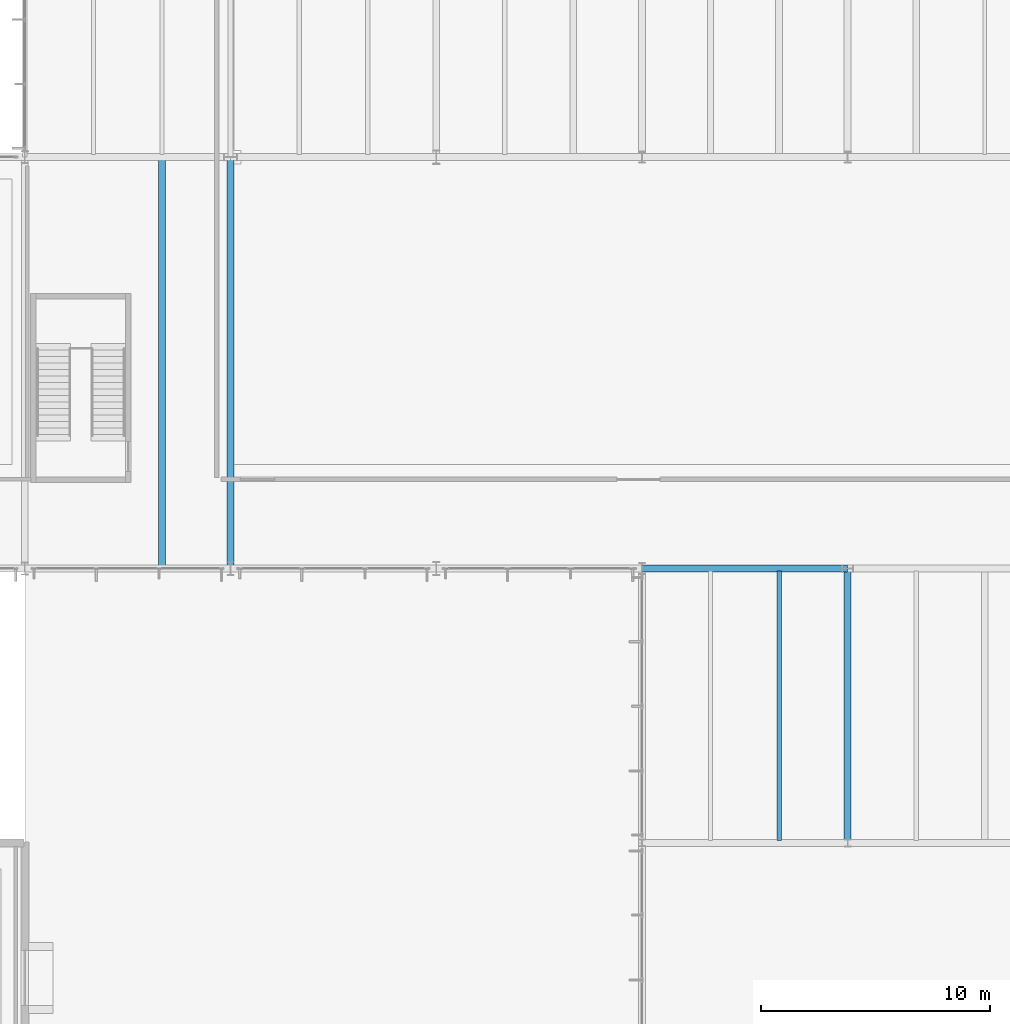
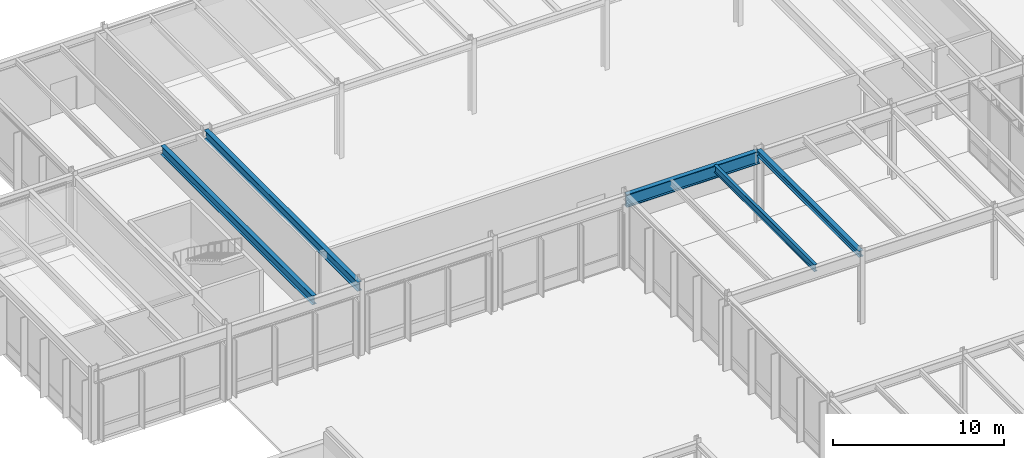
# One storey, part 61 of 143: 5 beams.
"""IFC4 building model written with IfcOpenShell, lengths in metres."""

from ifc_helpers import new_model, si_unit, direction, frame, origin, origin_2d, place, context, subcontext, project, spatial, i_section, extrude, material, material_profile, profile_set, type_object, element, save


model = new_model("IFC4")

# Units and contexts
model_context = context("Model", 3, precision=1e-05, world=origin(), true_north=direction((0.0, 1.0)))
body_context = subcontext(model_context, "Body", "Model", "MODEL_VIEW")
ifc_project = project(units=[si_unit("LENGTHUNIT", "METRE"), si_unit("AREAUNIT", "SQUARE_METRE"), si_unit("VOLUMEUNIT", "CUBIC_METRE"), si_unit("PLANEANGLEUNIT", "RADIAN"), si_unit("MASSUNIT", "GRAM", prefix="KILO")], contexts=[model_context])

# Site, building, storey
site_placement = place(None, origin())
site = spatial("IfcSite", under=ifc_project, at=site_placement, CompositionType="ELEMENT")
building_placement = place(site_placement, origin())
building = spatial("IfcBuilding", under=site, at=building_placement, Name="Montelvaro Courts of Justice", CompositionType="ELEMENT")
storey_placement = place(building_placement, origin())
storey = spatial("IfcBuildingStorey", under=building, at=storey_placement, Name="L00", CompositionType="ELEMENT", Elevation=0.0)

# Beams
ifc_material = material(Name="Steel S355", Category="steel")
ifc_material_profile_1 = material_profile(ifc_material, i_section(OverallWidth=0.300048828125, OverallDepth=0.43994140625, WebThickness=0.011474609375, FlangeThickness=0.02099609375, at=origin_2d()), Name="HEA 450")
ifc_profile_set_1 = profile_set([ifc_material_profile_1], Name="Steel S355")
beam_type_1 = type_object("IfcBeamType", Name="Beam_HEA450", PredefinedType="USERDEFINED", material=ifc_profile_set_1)
beam_1_placement = place(storey_placement, frame((63.0, 66.0, 4.89990234375), z_axis=(0.0, 1.0, 0.0), x_axis=(-1.0, 0.0, 0.0)))
element("IfcBeam", 1, at=beam_1_placement, inside=storey, type_object=beam_type_1, Name="Beam B-18 L00", ObjectType="GIRDER", PredefinedType="USERDEFINED", context=body_context, shape_type="SweptSolid", body=[
    extrude(i_section(OverallWidth=0.300048828125, OverallDepth=0.43994140625, WebThickness=0.011474609375, FlangeThickness=0.02099609375, at=origin_2d()), origin(), (0.0, 0.0, 1.0), 12.0),
])
ifc_material_profile_2 = material_profile(ifc_material, i_section(OverallWidth=0.300048828125, OverallDepth=0.639892578125, WebThickness=0.013427734375, FlangeThickness=0.02587890625, at=origin_2d()), Name="HEA 650")
ifc_profile_set_2 = profile_set([ifc_material_profile_2], Name="Steel S355")
beam_type_2 = type_object("IfcBeamType", Name="Beam_HEA650", PredefinedType="USERDEFINED", material=ifc_profile_set_2)
beam_2_placement = place(storey_placement, frame((33.0, 78.110107421875, 4.760009765625), z_axis=(0.0, 1.0, 0.0), x_axis=(-1.0, 0.0, 0.0)))
element("IfcBeam", 2, at=beam_2_placement, inside=storey, type_object=beam_type_2, Name="Beam B-22 L00", ObjectType="GIRDER", PredefinedType="USERDEFINED", context=body_context, shape_type="SweptSolid", body=[
    extrude(i_section(OverallWidth=0.300048828125, OverallDepth=0.639892578125, WebThickness=0.013427734375, FlangeThickness=0.02587890625, at=origin_2d()), origin(), (0.0, 0.0, 1.0), 17.77978515625),
])
ifc_material_profile_3 = material_profile(ifc_material, i_section(OverallWidth=0.300048828125, OverallDepth=0.64990234375, WebThickness=0.01611328125, FlangeThickness=0.031005859375, at=origin_2d()), Name="HEB 650")
ifc_profile_set_3 = profile_set([ifc_material_profile_3], Name="Steel S355")
beam_type_3 = type_object("IfcBeamType", Name="Beam_HEB650", PredefinedType="USERDEFINED", material=ifc_profile_set_3)
beam_3_placement = place(storey_placement, frame((36.0, 78.0, 4.7548828125), z_axis=(0.0, 1.0, 0.0), x_axis=(-1.0, 0.0, 0.0)))
element("IfcBeam", 3, at=beam_3_placement, inside=storey, type_object=beam_type_3, Name="Beam B-27 L00", ObjectType="GIRDER", PredefinedType="USERDEFINED", context=body_context, shape_type="SweptSolid", body=[
    extrude(i_section(OverallWidth=0.300048828125, OverallDepth=0.64990234375, WebThickness=0.01611328125, FlangeThickness=0.031005859375, at=origin_2d()), origin(), (0.0, 0.0, 1.0), 18.0),
])
ifc_material_profile_4 = material_profile(ifc_material, i_section(OverallWidth=0.302001953125, OverallDepth=0.909912109375, WebThickness=0.02099609375, FlangeThickness=0.0400390625, at=origin_2d()), Name="HEM 900")
ifc_profile_set_4 = profile_set([ifc_material_profile_4], Name="Steel S355")
beam_type_4 = type_object("IfcBeamType", Name="Beam_HEM900", PredefinedType="USERDEFINED", material=ifc_profile_set_4)
beam_4_placement = place(storey_placement, frame((54.0, 78.0, 4.625), z_axis=(1.0, 0.0, 0.0), x_axis=(0.0, 1.0, 0.0)))
element("IfcBeam", 4, at=beam_4_placement, inside=storey, type_object=beam_type_4, Name="Beam B-31 L00", ObjectType="GIRDER", PredefinedType="USERDEFINED", context=body_context, shape_type="SweptSolid", body=[
    extrude(i_section(OverallWidth=0.302001953125, OverallDepth=0.909912109375, WebThickness=0.02099609375, FlangeThickness=0.0400390625, at=origin_2d()), origin(), (0.0, 0.0, 1.0), 9.0),
])
ifc_material_profile_5 = material_profile(ifc_material, i_section(OverallWidth=0.199951171875, OverallDepth=0.5, WebThickness=0.01025390625, FlangeThickness=0.01611328125, at=origin_2d()), Name="IPE 500")
ifc_profile_set_5 = profile_set([ifc_material_profile_5], Name="Steel S355")
beam_type_5 = type_object("IfcBeamType", Name="Beam_IPE500", PredefinedType="BEAM", material=ifc_profile_set_5)
beam_5_placement = place(storey_placement, frame((60.0, 66.110107421875, 4.8701171875), z_axis=(0.0, 1.0, 0.0), x_axis=(-1.0, 0.0, 0.0)))
element("IfcBeam", 5, at=beam_5_placement, inside=storey, type_object=beam_type_5, Name="Beam B-10 L00", PredefinedType="BEAM", context=body_context, shape_type="SweptSolid", body=[
    extrude(i_section(OverallWidth=0.199951171875, OverallDepth=0.5, WebThickness=0.01025390625, FlangeThickness=0.01611328125, at=origin_2d()), origin(), (0.0, 0.0, 1.0), 11.77978515625),
])

save(model, "model.ifc")
